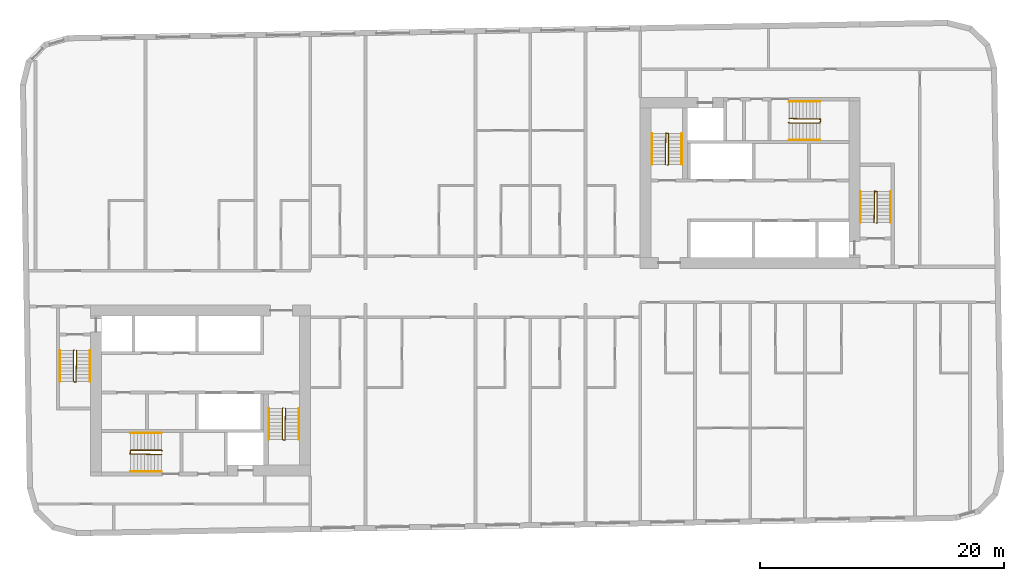
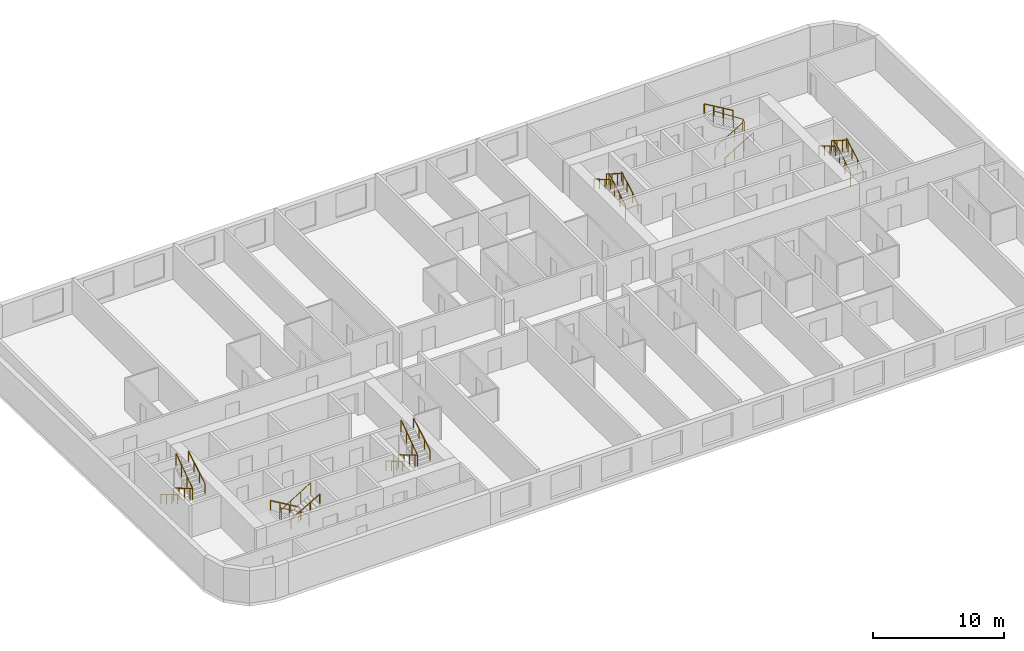
# One storey, part 11 of 11: 18 railings.
"""IFC4 building model written with IfcOpenShell, lengths in metres."""

from ifc_helpers import new_model, si_unit, direction, frame, origin, origin_2d, place, context, subcontext, project, spatial, circle, extrude, material, type_object, element, save


model = new_model("IFC4")

# Units and contexts
model_context = context("Model", 3, precision=1e-05, world=origin(), true_north=direction((0.0, 1.0)))
body_context = subcontext(model_context, "Body", "Model", "MODEL_VIEW")
ifc_project = project(units=[si_unit("LENGTHUNIT", "METRE"), si_unit("AREAUNIT", "SQUARE_METRE"), si_unit("VOLUMEUNIT", "CUBIC_METRE"), si_unit("PLANEANGLEUNIT", "RADIAN"), si_unit("MASSUNIT", "GRAM", prefix="KILO")], contexts=[model_context])

# Site, building, storey
site_placement = place(None, origin())
site = spatial("IfcSite", under=ifc_project, at=site_placement, CompositionType="ELEMENT")
building_placement = place(site_placement, origin())
building = spatial("IfcBuilding", under=site, at=building_placement, Name="Kajstack Hotel Tower", CompositionType="ELEMENT")
storey_placement = place(building_placement, frame((0.0, 0.0, 230.89990234375)))
storey = spatial("IfcBuildingStorey", under=building, at=storey_placement, Name="L56", CompositionType="ELEMENT", Elevation=230.89990234375)

# Railings
ifc_material = material(Name="Steel S355J2", Category="steel")
railing_type_1 = type_object("IfcRailingType", Name="Stair guard 1100", PredefinedType="GUARDRAIL", material=ifc_material)
railing_1_placement = place(storey_placement, frame((-32.85009765625, -5.199951171875, 0.0)))
element("IfcRailing", 1, at=railing_1_placement, inside=storey, type_object=railing_type_1, Name="L56 W1 stair guard 1", PredefinedType="GUARDRAIL", context=body_context, shape_type="SweptSolid", body=[
    extrude(circle(Radius=0.02392578125, at=origin_2d()), frame((0.0, 0.0, 1.076171875), z_axis=(-0.277450376394, -0.278810427259, 0.919394384522), x_axis=(0.708833529934, -0.705375805398, 0.0)), (0.0, 0.0, 1.0), 0.179443359375),
    extrude(circle(Radius=0.02392578125, at=origin_2d()), frame((-0.0498046875, -0.050048828125, 1.2412109375), z_axis=(0.0, -0.86152411907, 0.507716645641), x_axis=(1.0, 0.0, 0.0)), (0.0, 0.0, 1.0), 2.925048828125),
    extrude(circle(Radius=0.02392578125, at=origin_2d()), frame((-0.0498046875, -2.570068359375, 2.72607421875), z_axis=(0.970072785993, -0.242814311512, 0.0), x_axis=(0.242814311512, 0.970072785993, 0.0)), (0.0, 0.0, 1.0), 0.2060546875),
    extrude(circle(Radius=0.02392578125, at=origin_2d()), frame((0.150146484375, -2.6201171875, 2.72607421875), z_axis=(0.016385308676, 0.841405582595, 0.540155687962), x_axis=(-0.999810440751, 0.019470042781, 0.0)), (0.0, 0.0, 1.0), 3.054443359375),
    extrude(circle(Radius=0.02099609375, at=origin_2d()), origin(), (0.0, 0.0, 1.0), 1.052001953125),
    extrude(circle(Radius=0.02099609375, at=origin_2d()), frame((-0.0498046875, -0.050048828125, 0.1650390625)), (0.0, 0.0, 1.0), 1.052001953125),
    extrude(circle(Radius=0.02099609375, at=origin_2d()), frame((-0.0498046875, -0.89013671875, 0.66015625)), (0.0, 0.0, 1.0), 1.052001953125),
    extrude(circle(Radius=0.02099609375, at=origin_2d()), frame((-0.0498046875, -1.72998046875, 1.155029296875)), (0.0, 0.0, 1.0), 1.052001953125),
    extrude(circle(Radius=0.02099609375, at=origin_2d()), frame((-0.0498046875, -2.570068359375, 1.650146484375)), (0.0, 0.0, 1.0), 1.052001953125),
    extrude(circle(Radius=0.02099609375, at=origin_2d()), frame((0.150146484375, -2.6201171875, 1.650146484375)), (0.0, 0.0, 1.0), 1.052001953125),
    extrude(circle(Radius=0.02099609375, at=origin_2d()), frame((0.166748046875, -1.763427734375, 2.2001953125)), (0.0, 0.0, 1.0), 1.052001953125),
    extrude(circle(Radius=0.02099609375, at=origin_2d()), frame((0.18359375, -0.90673828125, 2.75)), (0.0, 0.0, 1.0), 1.052001953125),
    extrude(circle(Radius=0.02099609375, at=origin_2d()), frame((0.2001953125, -0.050048828125, 3.300048828125)), (0.0, 0.0, 1.0), 1.052001953125),
])
railing_2_placement = place(storey_placement, frame((-15.75, -9.949951171875, 0.0)))
element("IfcRailing", 2, at=railing_2_placement, inside=storey, type_object=railing_type_1, Name="L56 W2 stair guard 1", PredefinedType="GUARDRAIL", context=body_context, shape_type="SweptSolid", body=[
    extrude(circle(Radius=0.02392578125, at=origin_2d()), frame((0.0, 0.0, 1.076171875), z_axis=(-0.278705021027, -0.278705021027, 0.919046801044), x_axis=(0.707106781187, -0.707106781187, 0.0)), (0.0, 0.0, 1.0), 0.1796875),
    extrude(circle(Radius=0.02392578125, at=origin_2d()), frame((-0.050048828125, -0.050048828125, 1.2412109375), z_axis=(0.0, -0.86152411907, 0.507716645641), x_axis=(1.0, 0.0, 0.0)), (0.0, 0.0, 1.0), 2.925048828125),
    extrude(circle(Radius=0.02392578125, at=origin_2d()), frame((-0.050048828125, -2.570068359375, 2.72607421875), z_axis=(0.970072785993, -0.242814311512, 0.0), x_axis=(0.242814311512, 0.970072785993, 0.0)), (0.0, 0.0, 1.0), 0.2060546875),
    extrude(circle(Radius=0.02392578125, at=origin_2d()), frame((0.14990234375, -2.6201171875, 2.72607421875), z_axis=(0.016385308676, 0.841405582595, 0.540155687962), x_axis=(-0.999810440751, 0.019470042781, 0.0)), (0.0, 0.0, 1.0), 3.054443359375),
    extrude(circle(Radius=0.02099609375, at=origin_2d()), origin(), (0.0, 0.0, 1.0), 1.052001953125),
    extrude(circle(Radius=0.02099609375, at=origin_2d()), frame((-0.050048828125, -0.050048828125, 0.1650390625)), (0.0, 0.0, 1.0), 1.052001953125),
    extrude(circle(Radius=0.02099609375, at=origin_2d()), frame((-0.050048828125, -0.89013671875, 0.66015625)), (0.0, 0.0, 1.0), 1.052001953125),
    extrude(circle(Radius=0.02099609375, at=origin_2d()), frame((-0.050048828125, -1.72998046875, 1.155029296875)), (0.0, 0.0, 1.0), 1.052001953125),
    extrude(circle(Radius=0.02099609375, at=origin_2d()), frame((-0.050048828125, -2.570068359375, 1.650146484375)), (0.0, 0.0, 1.0), 1.052001953125),
    extrude(circle(Radius=0.02099609375, at=origin_2d()), frame((0.14990234375, -2.6201171875, 1.650146484375)), (0.0, 0.0, 1.0), 1.052001953125),
    extrude(circle(Radius=0.02099609375, at=origin_2d()), frame((0.16650390625, -1.763427734375, 2.2001953125)), (0.0, 0.0, 1.0), 1.052001953125),
    extrude(circle(Radius=0.02099609375, at=origin_2d()), frame((0.183349609375, -0.90673828125, 2.75)), (0.0, 0.0, 1.0), 1.052001953125),
    extrude(circle(Radius=0.02099609375, at=origin_2d()), frame((0.199951171875, -0.050048828125, 3.300048828125)), (0.0, 0.0, 1.0), 1.052001953125),
])
railing_3_placement = place(storey_placement, frame((-25.64990234375, -13.449951171875, 0.0)))
element("IfcRailing", 3, at=railing_3_placement, inside=storey, type_object=railing_type_1, Name="L56 W3 stair guard 1", PredefinedType="GUARDRAIL", context=body_context, shape_type="SweptSolid", body=[
    extrude(circle(Radius=0.02392578125, at=origin_2d()), frame((0.0, 0.0, 1.076171875), z_axis=(-0.278705021027, 0.278705021027, 0.919046801044), x_axis=(-0.707106781187, -0.707106781187, 0.0)), (0.0, 0.0, 1.0), 0.1796875),
    extrude(circle(Radius=0.02392578125, at=origin_2d()), frame((-0.050048828125, 0.050048828125, 1.2412109375), z_axis=(-0.86152411907, 0.0, 0.507716645641), x_axis=(0.0, -1.0, 0.0)), (0.0, 0.0, 1.0), 2.925048828125),
    extrude(circle(Radius=0.02392578125, at=origin_2d()), frame((-2.570068359375, 0.050048828125, 2.72607421875), z_axis=(-0.164529134168, -0.986372223864, 0.0), x_axis=(0.986372223864, -0.164529134168, 0.0)), (0.0, 0.0, 1.0), 0.30419921875),
    extrude(circle(Radius=0.02392578125, at=origin_2d()), frame((-2.6201171875, -0.25, 2.72607421875), z_axis=(0.841405582595, -0.016385308676, 0.540155687962), x_axis=(0.019470042781, 0.999810440751, 0.0)), (0.0, 0.0, 1.0), 3.054443359375),
    extrude(circle(Radius=0.02099609375, at=origin_2d()), origin(), (0.0, 0.0, 1.0), 1.052001953125),
    extrude(circle(Radius=0.02099609375, at=origin_2d()), frame((-0.050048828125, 0.050048828125, 0.1650390625)), (0.0, 0.0, 1.0), 1.052001953125),
    extrude(circle(Radius=0.02099609375, at=origin_2d()), frame((-0.89013671875, 0.050048828125, 0.66015625)), (0.0, 0.0, 1.0), 1.052001953125),
    extrude(circle(Radius=0.02099609375, at=origin_2d()), frame((-1.72998046875, 0.050048828125, 1.155029296875)), (0.0, 0.0, 1.0), 1.052001953125),
    extrude(circle(Radius=0.02099609375, at=origin_2d()), frame((-2.570068359375, 0.050048828125, 1.650146484375)), (0.0, 0.0, 1.0), 1.052001953125),
    extrude(circle(Radius=0.02099609375, at=origin_2d()), frame((-2.6201171875, -0.25, 1.650146484375)), (0.0, 0.0, 1.0), 1.052001953125),
    extrude(circle(Radius=0.02099609375, at=origin_2d()), frame((-1.763427734375, -0.2666015625, 2.2001953125)), (0.0, 0.0, 1.0), 1.052001953125),
    extrude(circle(Radius=0.02099609375, at=origin_2d()), frame((-0.90673828125, -0.283447265625, 2.75)), (0.0, 0.0, 1.0), 1.052001953125),
    extrude(circle(Radius=0.02099609375, at=origin_2d()), frame((-0.050048828125, -0.300048828125, 3.300048828125)), (0.0, 0.0, 1.0), 1.052001953125),
])
railing_4_placement = place(storey_placement, frame((32.85009765625, 5.199951171875, 0.0)))
element("IfcRailing", 4, at=railing_4_placement, inside=storey, type_object=railing_type_1, Name="L56 E1 stair guard 1", PredefinedType="GUARDRAIL", context=body_context, shape_type="SweptSolid", body=[
    extrude(circle(Radius=0.02392578125, at=origin_2d()), frame((0.0, 0.0, 1.076171875), z_axis=(0.277450376394, 0.278810427259, 0.919394384522), x_axis=(-0.708833529934, 0.705375805398, 0.0)), (0.0, 0.0, 1.0), 0.179443359375),
    extrude(circle(Radius=0.02392578125, at=origin_2d()), frame((0.0498046875, 0.050048828125, 1.2412109375), z_axis=(0.0, 0.86152411907, 0.507716645641), x_axis=(-1.0, 0.0, 0.0)), (0.0, 0.0, 1.0), 2.925048828125),
    extrude(circle(Radius=0.02392578125, at=origin_2d()), frame((0.0498046875, 2.570068359375, 2.72607421875), z_axis=(-0.970072785993, 0.242814311512, 0.0), x_axis=(-0.242814311512, -0.970072785993, 0.0)), (0.0, 0.0, 1.0), 0.2060546875),
    extrude(circle(Radius=0.02392578125, at=origin_2d()), frame((-0.150146484375, 2.6201171875, 2.72607421875), z_axis=(-0.016385308676, -0.841405582595, 0.540155687962), x_axis=(0.999810440751, -0.019470042781, 0.0)), (0.0, 0.0, 1.0), 3.054443359375),
    extrude(circle(Radius=0.02099609375, at=origin_2d()), origin(), (0.0, 0.0, 1.0), 1.052001953125),
    extrude(circle(Radius=0.02099609375, at=origin_2d()), frame((0.0498046875, 0.050048828125, 0.1650390625)), (0.0, 0.0, 1.0), 1.052001953125),
    extrude(circle(Radius=0.02099609375, at=origin_2d()), frame((0.0498046875, 0.89013671875, 0.66015625)), (0.0, 0.0, 1.0), 1.052001953125),
    extrude(circle(Radius=0.02099609375, at=origin_2d()), frame((0.0498046875, 1.72998046875, 1.155029296875)), (0.0, 0.0, 1.0), 1.052001953125),
    extrude(circle(Radius=0.02099609375, at=origin_2d()), frame((0.0498046875, 2.570068359375, 1.650146484375)), (0.0, 0.0, 1.0), 1.052001953125),
    extrude(circle(Radius=0.02099609375, at=origin_2d()), frame((-0.150146484375, 2.6201171875, 1.650146484375)), (0.0, 0.0, 1.0), 1.052001953125),
    extrude(circle(Radius=0.02099609375, at=origin_2d()), frame((-0.166748046875, 1.763427734375, 2.2001953125)), (0.0, 0.0, 1.0), 1.052001953125),
    extrude(circle(Radius=0.02099609375, at=origin_2d()), frame((-0.18359375, 0.90673828125, 2.75)), (0.0, 0.0, 1.0), 1.052001953125),
    extrude(circle(Radius=0.02099609375, at=origin_2d()), frame((-0.2001953125, 0.050048828125, 3.300048828125)), (0.0, 0.0, 1.0), 1.052001953125),
])
railing_5_placement = place(storey_placement, frame((15.75, 9.949951171875, 0.0)))
element("IfcRailing", 5, at=railing_5_placement, inside=storey, type_object=railing_type_1, Name="L56 E2 stair guard 1", PredefinedType="GUARDRAIL", context=body_context, shape_type="SweptSolid", body=[
    extrude(circle(Radius=0.02392578125, at=origin_2d()), frame((0.0, 0.0, 1.076171875), z_axis=(0.278705021027, 0.278705021027, 0.919046801044), x_axis=(-0.707106781187, 0.707106781187, 0.0)), (0.0, 0.0, 1.0), 0.1796875),
    extrude(circle(Radius=0.02392578125, at=origin_2d()), frame((0.050048828125, 0.050048828125, 1.2412109375), z_axis=(0.0, 0.86152411907, 0.507716645641), x_axis=(-1.0, 0.0, 0.0)), (0.0, 0.0, 1.0), 2.925048828125),
    extrude(circle(Radius=0.02392578125, at=origin_2d()), frame((0.050048828125, 2.570068359375, 2.72607421875), z_axis=(-0.970072785993, 0.242814311512, 0.0), x_axis=(-0.242814311512, -0.970072785993, 0.0)), (0.0, 0.0, 1.0), 0.2060546875),
    extrude(circle(Radius=0.02392578125, at=origin_2d()), frame((-0.14990234375, 2.6201171875, 2.72607421875), z_axis=(-0.016385308676, -0.841405582595, 0.540155687962), x_axis=(0.999810440751, -0.019470042781, 0.0)), (0.0, 0.0, 1.0), 3.054443359375),
    extrude(circle(Radius=0.02099609375, at=origin_2d()), origin(), (0.0, 0.0, 1.0), 1.052001953125),
    extrude(circle(Radius=0.02099609375, at=origin_2d()), frame((0.050048828125, 0.050048828125, 0.1650390625)), (0.0, 0.0, 1.0), 1.052001953125),
    extrude(circle(Radius=0.02099609375, at=origin_2d()), frame((0.050048828125, 0.89013671875, 0.66015625)), (0.0, 0.0, 1.0), 1.052001953125),
    extrude(circle(Radius=0.02099609375, at=origin_2d()), frame((0.050048828125, 1.72998046875, 1.155029296875)), (0.0, 0.0, 1.0), 1.052001953125),
    extrude(circle(Radius=0.02099609375, at=origin_2d()), frame((0.050048828125, 2.570068359375, 1.650146484375)), (0.0, 0.0, 1.0), 1.052001953125),
    extrude(circle(Radius=0.02099609375, at=origin_2d()), frame((-0.14990234375, 2.6201171875, 1.650146484375)), (0.0, 0.0, 1.0), 1.052001953125),
    extrude(circle(Radius=0.02099609375, at=origin_2d()), frame((-0.16650390625, 1.763427734375, 2.2001953125)), (0.0, 0.0, 1.0), 1.052001953125),
    extrude(circle(Radius=0.02099609375, at=origin_2d()), frame((-0.183349609375, 0.90673828125, 2.75)), (0.0, 0.0, 1.0), 1.052001953125),
    extrude(circle(Radius=0.02099609375, at=origin_2d()), frame((-0.199951171875, 0.050048828125, 3.300048828125)), (0.0, 0.0, 1.0), 1.052001953125),
])
railing_6_placement = place(storey_placement, frame((25.64990234375, 13.449951171875, 0.0)))
element("IfcRailing", 6, at=railing_6_placement, inside=storey, type_object=railing_type_1, Name="L56 E3 stair guard 1", PredefinedType="GUARDRAIL", context=body_context, shape_type="SweptSolid", body=[
    extrude(circle(Radius=0.02392578125, at=origin_2d()), frame((0.0, 0.0, 1.076171875), z_axis=(0.278705021027, -0.278705021027, 0.919046801044), x_axis=(0.707106781187, 0.707106781187, 0.0)), (0.0, 0.0, 1.0), 0.1796875),
    extrude(circle(Radius=0.02392578125, at=origin_2d()), frame((0.050048828125, -0.050048828125, 1.2412109375), z_axis=(0.86152411907, 0.0, 0.507716645641), x_axis=(0.0, 1.0, 0.0)), (0.0, 0.0, 1.0), 2.925048828125),
    extrude(circle(Radius=0.02392578125, at=origin_2d()), frame((2.570068359375, -0.050048828125, 2.72607421875), z_axis=(0.164529134168, 0.986372223864, 0.0), x_axis=(-0.986372223864, 0.164529134168, 0.0)), (0.0, 0.0, 1.0), 0.30419921875),
    extrude(circle(Radius=0.02392578125, at=origin_2d()), frame((2.6201171875, 0.25, 2.72607421875), z_axis=(-0.841405582595, 0.016385308676, 0.540155687962), x_axis=(-0.019470042781, -0.999810440751, 0.0)), (0.0, 0.0, 1.0), 3.054443359375),
    extrude(circle(Radius=0.02099609375, at=origin_2d()), origin(), (0.0, 0.0, 1.0), 1.052001953125),
    extrude(circle(Radius=0.02099609375, at=origin_2d()), frame((0.050048828125, -0.050048828125, 0.1650390625)), (0.0, 0.0, 1.0), 1.052001953125),
    extrude(circle(Radius=0.02099609375, at=origin_2d()), frame((0.89013671875, -0.050048828125, 0.66015625)), (0.0, 0.0, 1.0), 1.052001953125),
    extrude(circle(Radius=0.02099609375, at=origin_2d()), frame((1.72998046875, -0.050048828125, 1.155029296875)), (0.0, 0.0, 1.0), 1.052001953125),
    extrude(circle(Radius=0.02099609375, at=origin_2d()), frame((2.570068359375, -0.050048828125, 1.650146484375)), (0.0, 0.0, 1.0), 1.052001953125),
    extrude(circle(Radius=0.02099609375, at=origin_2d()), frame((2.6201171875, 0.25, 1.650146484375)), (0.0, 0.0, 1.0), 1.052001953125),
    extrude(circle(Radius=0.02099609375, at=origin_2d()), frame((1.763427734375, 0.2666015625, 2.2001953125)), (0.0, 0.0, 1.0), 1.052001953125),
    extrude(circle(Radius=0.02099609375, at=origin_2d()), frame((0.90673828125, 0.283447265625, 2.75)), (0.0, 0.0, 1.0), 1.052001953125),
    extrude(circle(Radius=0.02099609375, at=origin_2d()), frame((0.050048828125, 0.300048828125, 3.300048828125)), (0.0, 0.0, 1.0), 1.052001953125),
])
railing_type_2 = type_object("IfcRailingType", Name="Stair handrail 900", PredefinedType="HANDRAIL", material=ifc_material)
railing_7_placement = place(storey_placement, frame((-34.0, -5.25, 0.1650390625)))
element("IfcRailing", 7, at=railing_7_placement, inside=storey, type_object=railing_type_2, Name="L56 W1 stair handrail 1", PredefinedType="HANDRAIL", context=body_context, shape_type="SweptSolid", body=[
    extrude(circle(Radius=0.02392578125, at=origin_2d()), frame((0.0, 0.0, 0.8759765625), z_axis=(0.0, -0.86152411907, 0.507716645641), x_axis=(1.0, 0.0, 0.0)), (0.0, 0.0, 1.0), 2.925048828125),
    extrude(circle(Radius=0.02099609375, at=origin_2d()), origin(), (0.0, 0.0, 1.0), 0.851806640625),
    extrude(circle(Radius=0.02099609375, at=origin_2d()), frame((0.0, -0.840087890625, 0.4951171875)), (0.0, 0.0, 1.0), 0.851806640625),
    extrude(circle(Radius=0.02099609375, at=origin_2d()), frame((0.0, -1.679931640625, 0.989990234375)), (0.0, 0.0, 1.0), 0.851806640625),
    extrude(circle(Radius=0.02099609375, at=origin_2d()), frame((0.0, -2.52001953125, 1.485107421875)), (0.0, 0.0, 1.0), 0.851806640625),
])
railing_8_placement = place(storey_placement, frame((-31.550048828125, -7.77001953125, 1.815185546875)))
element("IfcRailing", 8, at=railing_8_placement, inside=storey, type_object=railing_type_2, Name="L56 W1 stair handrail 2", PredefinedType="HANDRAIL", context=body_context, shape_type="SweptSolid", body=[
    extrude(circle(Radius=0.02392578125, at=origin_2d()), frame((0.0, 0.0, 0.8759765625), z_axis=(0.0, 0.861560626758, 0.507654692109), x_axis=(-1.0, 0.0, 0.0)), (0.0, 0.0, 1.0), 2.925048828125),
    extrude(circle(Radius=0.02099609375, at=origin_2d()), origin(), (0.0, 0.0, 1.0), 0.851806640625),
    extrude(circle(Radius=0.02099609375, at=origin_2d()), frame((0.0, 0.840087890625, 0.494873046875)), (0.0, 0.0, 1.0), 0.851806640625),
    extrude(circle(Radius=0.02099609375, at=origin_2d()), frame((0.0, 1.679931640625, 0.989990234375)), (0.0, 0.0, 1.0), 0.851806640625),
    extrude(circle(Radius=0.02099609375, at=origin_2d()), frame((0.0, 2.52001953125, 1.48486328125)), (0.0, 0.0, 1.0), 0.851806640625),
])
railing_9_placement = place(storey_placement, frame((-16.89990234375, -10.0, 0.1650390625)))
element("IfcRailing", 9, at=railing_9_placement, inside=storey, type_object=railing_type_2, Name="L56 W2 stair handrail 1", PredefinedType="HANDRAIL", context=body_context, shape_type="SweptSolid", body=[
    extrude(circle(Radius=0.02392578125, at=origin_2d()), frame((0.0, 0.0, 0.8759765625), z_axis=(0.0, -0.86152411907, 0.507716645641), x_axis=(1.0, 0.0, 0.0)), (0.0, 0.0, 1.0), 2.925048828125),
    extrude(circle(Radius=0.02099609375, at=origin_2d()), origin(), (0.0, 0.0, 1.0), 0.851806640625),
    extrude(circle(Radius=0.02099609375, at=origin_2d()), frame((0.0, -0.840087890625, 0.4951171875)), (0.0, 0.0, 1.0), 0.851806640625),
    extrude(circle(Radius=0.02099609375, at=origin_2d()), frame((0.0, -1.679931640625, 0.989990234375)), (0.0, 0.0, 1.0), 0.851806640625),
    extrude(circle(Radius=0.02099609375, at=origin_2d()), frame((0.0, -2.52001953125, 1.485107421875)), (0.0, 0.0, 1.0), 0.851806640625),
])
railing_10_placement = place(storey_placement, frame((-14.449951171875, -12.52001953125, 1.815185546875)))
element("IfcRailing", 10, at=railing_10_placement, inside=storey, type_object=railing_type_2, Name="L56 W2 stair handrail 2", PredefinedType="HANDRAIL", context=body_context, shape_type="SweptSolid", body=[
    extrude(circle(Radius=0.02392578125, at=origin_2d()), frame((0.0, 0.0, 0.8759765625), z_axis=(0.0, 0.861560626758, 0.507654692109), x_axis=(-1.0, 0.0, 0.0)), (0.0, 0.0, 1.0), 2.925048828125),
    extrude(circle(Radius=0.02099609375, at=origin_2d()), origin(), (0.0, 0.0, 1.0), 0.851806640625),
    extrude(circle(Radius=0.02099609375, at=origin_2d()), frame((0.0, 0.840087890625, 0.494873046875)), (0.0, 0.0, 1.0), 0.851806640625),
    extrude(circle(Radius=0.02099609375, at=origin_2d()), frame((0.0, 1.679931640625, 0.989990234375)), (0.0, 0.0, 1.0), 0.851806640625),
    extrude(circle(Radius=0.02099609375, at=origin_2d()), frame((0.0, 2.52001953125, 1.48486328125)), (0.0, 0.0, 1.0), 0.851806640625),
])
railing_11_placement = place(storey_placement, frame((-25.699951171875, -12.0, 0.1650390625)))
element("IfcRailing", 11, at=railing_11_placement, inside=storey, type_object=railing_type_2, Name="L56 W3 stair handrail 1", PredefinedType="HANDRAIL", context=body_context, shape_type="SweptSolid", body=[
    extrude(circle(Radius=0.02392578125, at=origin_2d()), frame((0.0, 0.0, 0.8759765625), z_axis=(-0.86152411907, 0.0, 0.507716645641), x_axis=(0.0, -1.0, 0.0)), (0.0, 0.0, 1.0), 2.925048828125),
    extrude(circle(Radius=0.02099609375, at=origin_2d()), origin(), (0.0, 0.0, 1.0), 0.851806640625),
    extrude(circle(Radius=0.02099609375, at=origin_2d()), frame((-0.840087890625, 0.0, 0.4951171875)), (0.0, 0.0, 1.0), 0.851806640625),
    extrude(circle(Radius=0.02099609375, at=origin_2d()), frame((-1.679931640625, 0.0, 0.989990234375)), (0.0, 0.0, 1.0), 0.851806640625),
    extrude(circle(Radius=0.02099609375, at=origin_2d()), frame((-2.52001953125, 0.0, 1.485107421875)), (0.0, 0.0, 1.0), 0.851806640625),
])
railing_12_placement = place(storey_placement, frame((-28.219970703125, -15.14990234375, 1.815185546875)))
element("IfcRailing", 12, at=railing_12_placement, inside=storey, type_object=railing_type_2, Name="L56 W3 stair handrail 2", PredefinedType="HANDRAIL", context=body_context, shape_type="SweptSolid", body=[
    extrude(circle(Radius=0.02392578125, at=origin_2d()), frame((0.0, 0.0, 0.8759765625), z_axis=(0.861560626758, 0.0, 0.507654692109), x_axis=(0.0, 1.0, 0.0)), (0.0, 0.0, 1.0), 2.925048828125),
    extrude(circle(Radius=0.02099609375, at=origin_2d()), origin(), (0.0, 0.0, 1.0), 0.851806640625),
    extrude(circle(Radius=0.02099609375, at=origin_2d()), frame((0.840087890625, 0.0, 0.494873046875)), (0.0, 0.0, 1.0), 0.851806640625),
    extrude(circle(Radius=0.02099609375, at=origin_2d()), frame((1.679931640625, 0.0, 0.989990234375)), (0.0, 0.0, 1.0), 0.851806640625),
    extrude(circle(Radius=0.02099609375, at=origin_2d()), frame((2.52001953125, 0.0, 1.48486328125)), (0.0, 0.0, 1.0), 0.851806640625),
])
railing_13_placement = place(storey_placement, frame((34.0, 5.25, 0.1650390625)))
element("IfcRailing", 13, at=railing_13_placement, inside=storey, type_object=railing_type_2, Name="L56 E1 stair handrail 1", PredefinedType="HANDRAIL", context=body_context, shape_type="SweptSolid", body=[
    extrude(circle(Radius=0.02392578125, at=origin_2d()), frame((0.0, 0.0, 0.8759765625), z_axis=(0.0, 0.86152411907, 0.507716645641), x_axis=(-1.0, 0.0, 0.0)), (0.0, 0.0, 1.0), 2.925048828125),
    extrude(circle(Radius=0.02099609375, at=origin_2d()), origin(), (0.0, 0.0, 1.0), 0.851806640625),
    extrude(circle(Radius=0.02099609375, at=origin_2d()), frame((0.0, 0.840087890625, 0.4951171875)), (0.0, 0.0, 1.0), 0.851806640625),
    extrude(circle(Radius=0.02099609375, at=origin_2d()), frame((0.0, 1.679931640625, 0.989990234375)), (0.0, 0.0, 1.0), 0.851806640625),
    extrude(circle(Radius=0.02099609375, at=origin_2d()), frame((0.0, 2.52001953125, 1.485107421875)), (0.0, 0.0, 1.0), 0.851806640625),
])
railing_14_placement = place(storey_placement, frame((31.550048828125, 7.77001953125, 1.815185546875)))
element("IfcRailing", 14, at=railing_14_placement, inside=storey, type_object=railing_type_2, Name="L56 E1 stair handrail 2", PredefinedType="HANDRAIL", context=body_context, shape_type="SweptSolid", body=[
    extrude(circle(Radius=0.02392578125, at=origin_2d()), frame((0.0, 0.0, 0.8759765625), z_axis=(0.0, -0.861560626758, 0.507654692109), x_axis=(1.0, 0.0, 0.0)), (0.0, 0.0, 1.0), 2.925048828125),
    extrude(circle(Radius=0.02099609375, at=origin_2d()), origin(), (0.0, 0.0, 1.0), 0.851806640625),
    extrude(circle(Radius=0.02099609375, at=origin_2d()), frame((0.0, -0.840087890625, 0.494873046875)), (0.0, 0.0, 1.0), 0.851806640625),
    extrude(circle(Radius=0.02099609375, at=origin_2d()), frame((0.0, -1.679931640625, 0.989990234375)), (0.0, 0.0, 1.0), 0.851806640625),
    extrude(circle(Radius=0.02099609375, at=origin_2d()), frame((0.0, -2.52001953125, 1.48486328125)), (0.0, 0.0, 1.0), 0.851806640625),
])
railing_15_placement = place(storey_placement, frame((16.89990234375, 10.0, 0.1650390625)))
element("IfcRailing", 15, at=railing_15_placement, inside=storey, type_object=railing_type_2, Name="L56 E2 stair handrail 1", PredefinedType="HANDRAIL", context=body_context, shape_type="SweptSolid", body=[
    extrude(circle(Radius=0.02392578125, at=origin_2d()), frame((0.0, 0.0, 0.8759765625), z_axis=(0.0, 0.86152411907, 0.507716645641), x_axis=(-1.0, 0.0, 0.0)), (0.0, 0.0, 1.0), 2.925048828125),
    extrude(circle(Radius=0.02099609375, at=origin_2d()), origin(), (0.0, 0.0, 1.0), 0.851806640625),
    extrude(circle(Radius=0.02099609375, at=origin_2d()), frame((0.0, 0.840087890625, 0.4951171875)), (0.0, 0.0, 1.0), 0.851806640625),
    extrude(circle(Radius=0.02099609375, at=origin_2d()), frame((0.0, 1.679931640625, 0.989990234375)), (0.0, 0.0, 1.0), 0.851806640625),
    extrude(circle(Radius=0.02099609375, at=origin_2d()), frame((0.0, 2.52001953125, 1.485107421875)), (0.0, 0.0, 1.0), 0.851806640625),
])
railing_16_placement = place(storey_placement, frame((14.449951171875, 12.52001953125, 1.815185546875)))
element("IfcRailing", 16, at=railing_16_placement, inside=storey, type_object=railing_type_2, Name="L56 E2 stair handrail 2", PredefinedType="HANDRAIL", context=body_context, shape_type="SweptSolid", body=[
    extrude(circle(Radius=0.02392578125, at=origin_2d()), frame((0.0, 0.0, 0.8759765625), z_axis=(0.0, -0.861560626758, 0.507654692109), x_axis=(1.0, 0.0, 0.0)), (0.0, 0.0, 1.0), 2.925048828125),
    extrude(circle(Radius=0.02099609375, at=origin_2d()), origin(), (0.0, 0.0, 1.0), 0.851806640625),
    extrude(circle(Radius=0.02099609375, at=origin_2d()), frame((0.0, -0.840087890625, 0.494873046875)), (0.0, 0.0, 1.0), 0.851806640625),
    extrude(circle(Radius=0.02099609375, at=origin_2d()), frame((0.0, -1.679931640625, 0.989990234375)), (0.0, 0.0, 1.0), 0.851806640625),
    extrude(circle(Radius=0.02099609375, at=origin_2d()), frame((0.0, -2.52001953125, 1.48486328125)), (0.0, 0.0, 1.0), 0.851806640625),
])
railing_17_placement = place(storey_placement, frame((25.699951171875, 12.0, 0.1650390625)))
element("IfcRailing", 17, at=railing_17_placement, inside=storey, type_object=railing_type_2, Name="L56 E3 stair handrail 1", PredefinedType="HANDRAIL", context=body_context, shape_type="SweptSolid", body=[
    extrude(circle(Radius=0.02392578125, at=origin_2d()), frame((0.0, 0.0, 0.8759765625), z_axis=(0.86152411907, 0.0, 0.507716645641), x_axis=(0.0, 1.0, 0.0)), (0.0, 0.0, 1.0), 2.925048828125),
    extrude(circle(Radius=0.02099609375, at=origin_2d()), origin(), (0.0, 0.0, 1.0), 0.851806640625),
    extrude(circle(Radius=0.02099609375, at=origin_2d()), frame((0.840087890625, 0.0, 0.4951171875)), (0.0, 0.0, 1.0), 0.851806640625),
    extrude(circle(Radius=0.02099609375, at=origin_2d()), frame((1.679931640625, 0.0, 0.989990234375)), (0.0, 0.0, 1.0), 0.851806640625),
    extrude(circle(Radius=0.02099609375, at=origin_2d()), frame((2.52001953125, 0.0, 1.485107421875)), (0.0, 0.0, 1.0), 0.851806640625),
])
railing_18_placement = place(storey_placement, frame((28.219970703125, 15.14990234375, 1.815185546875)))
element("IfcRailing", 18, at=railing_18_placement, inside=storey, type_object=railing_type_2, Name="L56 E3 stair handrail 2", PredefinedType="HANDRAIL", context=body_context, shape_type="SweptSolid", body=[
    extrude(circle(Radius=0.02392578125, at=origin_2d()), frame((0.0, 0.0, 0.8759765625), z_axis=(-0.861560626758, 0.0, 0.507654692109), x_axis=(0.0, -1.0, 0.0)), (0.0, 0.0, 1.0), 2.925048828125),
    extrude(circle(Radius=0.02099609375, at=origin_2d()), origin(), (0.0, 0.0, 1.0), 0.851806640625),
    extrude(circle(Radius=0.02099609375, at=origin_2d()), frame((-0.840087890625, 0.0, 0.494873046875)), (0.0, 0.0, 1.0), 0.851806640625),
    extrude(circle(Radius=0.02099609375, at=origin_2d()), frame((-1.679931640625, 0.0, 0.989990234375)), (0.0, 0.0, 1.0), 0.851806640625),
    extrude(circle(Radius=0.02099609375, at=origin_2d()), frame((-2.52001953125, 0.0, 1.48486328125)), (0.0, 0.0, 1.0), 0.851806640625),
])

save(model, "model.ifc")
